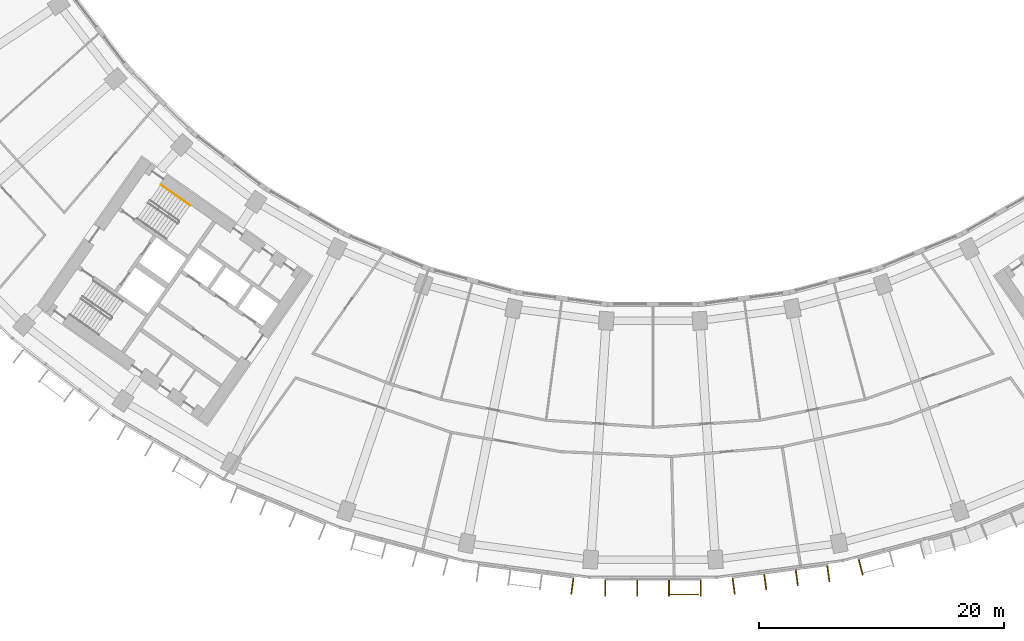
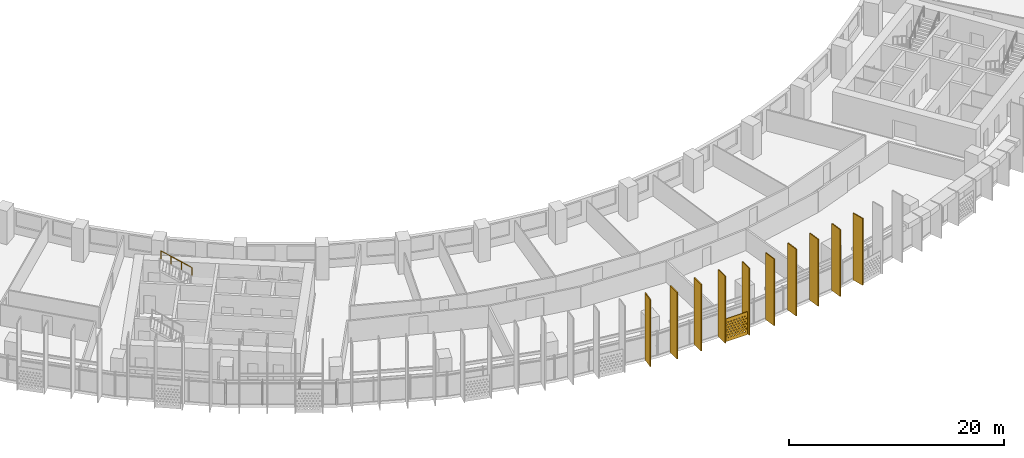
# One storey, part 26 of 29: 11 shading devices, 1 railing.
"""IFC4 building model written with IfcOpenShell, lengths in metres."""

from ifc_helpers import new_model, si_unit, direction, frame, origin, origin_2d, place, context, subcontext, project, spatial, polyline, rectangle, circle, outline, extrude, material, material_profile, profile_set, type_object, element, save


model = new_model("IFC4")

# Units and contexts
model_context = context("Model", 3, precision=1e-05, world=origin(), true_north=direction((0.0, 1.0)))
body_context = subcontext(model_context, "Body", "Model", "MODEL_VIEW")
ifc_project = project(units=[si_unit("LENGTHUNIT", "METRE"), si_unit("AREAUNIT", "SQUARE_METRE"), si_unit("VOLUMEUNIT", "CUBIC_METRE"), si_unit("PLANEANGLEUNIT", "RADIAN"), si_unit("MASSUNIT", "GRAM", prefix="KILO")], contexts=[model_context])

# Site, building, storey
site_placement = place(None, origin())
site = spatial("IfcSite", under=ifc_project, at=site_placement, CompositionType="ELEMENT")
building_placement = place(site_placement, origin())
building = spatial("IfcBuilding", under=site, at=building_placement, Name="Qamariyya Broadcast Tower", CompositionType="ELEMENT")
storey_placement = place(building_placement, frame((0.0, 0.0, 132.89990234375)))
storey = spatial("IfcBuildingStorey", under=building, at=storey_placement, Name="L30", CompositionType="ELEMENT", Elevation=132.89990234375)

# Shading device
ifc_material_1 = material(Name="Perforated glazed terracotta", Category="masonry")
ifc_material_profile_1 = material_profile(ifc_material_1, outline(polyline([(-1.199951171875, -1.300048828125), (1.199951171875, -1.300048828125), (1.199951171875, 1.300048828125), (-1.199951171875, 1.300048828125), (-1.199951171875, -1.300048828125)]), holes=[polyline([(-0.81494140625, -0.86669921875), (-0.89990234375, -0.78173828125), (-0.985107421875, -0.86669921875), (-0.89990234375, -0.95166015625), (-0.81494140625, -0.86669921875)]), polyline([(-0.514892578125, -0.86669921875), (-0.60009765625, -0.78173828125), (-0.68505859375, -0.86669921875), (-0.60009765625, -0.95166015625), (-0.514892578125, -0.86669921875)]), polyline([(-0.215087890625, -0.86669921875), (-0.300048828125, -0.78173828125), (-0.385009765625, -0.86669921875), (-0.300048828125, -0.95166015625), (-0.215087890625, -0.86669921875)]), polyline([(0.0849609375, -0.86669921875), (0.0, -0.78173828125), (-0.0849609375, -0.86669921875), (0.0, -0.95166015625), (0.0849609375, -0.86669921875)]), polyline([(0.385009765625, -0.86669921875), (0.300048828125, -0.78173828125), (0.215087890625, -0.86669921875), (0.300048828125, -0.95166015625), (0.385009765625, -0.86669921875)]), polyline([(0.68505859375, -0.86669921875), (0.60009765625, -0.78173828125), (0.514892578125, -0.86669921875), (0.60009765625, -0.95166015625), (0.68505859375, -0.86669921875)]), polyline([(0.985107421875, -0.86669921875), (0.89990234375, -0.78173828125), (0.81494140625, -0.86669921875), (0.89990234375, -0.95166015625), (0.985107421875, -0.86669921875)]), polyline([(-0.965087890625, -0.577880859375), (-1.050048828125, -0.49267578125), (-1.135009765625, -0.577880859375), (-1.050048828125, -0.662841796875), (-0.965087890625, -0.577880859375)]), polyline([(-0.6650390625, -0.577880859375), (-0.75, -0.49267578125), (-0.8349609375, -0.577880859375), (-0.75, -0.662841796875), (-0.6650390625, -0.577880859375)]), polyline([(-0.364990234375, -0.577880859375), (-0.449951171875, -0.49267578125), (-0.534912109375, -0.577880859375), (-0.449951171875, -0.662841796875), (-0.364990234375, -0.577880859375)]), polyline([(-0.06494140625, -0.577880859375), (-0.14990234375, -0.49267578125), (-0.235107421875, -0.577880859375), (-0.14990234375, -0.662841796875), (-0.06494140625, -0.577880859375)]), polyline([(0.235107421875, -0.577880859375), (0.14990234375, -0.49267578125), (0.06494140625, -0.577880859375), (0.14990234375, -0.662841796875), (0.235107421875, -0.577880859375)]), polyline([(0.534912109375, -0.577880859375), (0.449951171875, -0.49267578125), (0.364990234375, -0.577880859375), (0.449951171875, -0.662841796875), (0.534912109375, -0.577880859375)]), polyline([(0.8349609375, -0.577880859375), (0.75, -0.49267578125), (0.6650390625, -0.577880859375), (0.75, -0.662841796875), (0.8349609375, -0.577880859375)]), polyline([(1.135009765625, -0.577880859375), (1.050048828125, -0.49267578125), (0.965087890625, -0.577880859375), (1.050048828125, -0.662841796875), (1.135009765625, -0.577880859375)]), polyline([(-0.81494140625, -0.288818359375), (-0.89990234375, -0.203857421875), (-0.985107421875, -0.288818359375), (-0.89990234375, -0.373779296875), (-0.81494140625, -0.288818359375)]), polyline([(-0.514892578125, -0.288818359375), (-0.60009765625, -0.203857421875), (-0.68505859375, -0.288818359375), (-0.60009765625, -0.373779296875), (-0.514892578125, -0.288818359375)]), polyline([(-0.215087890625, -0.288818359375), (-0.300048828125, -0.203857421875), (-0.385009765625, -0.288818359375), (-0.300048828125, -0.373779296875), (-0.215087890625, -0.288818359375)]), polyline([(0.0849609375, -0.288818359375), (0.0, -0.203857421875), (-0.0849609375, -0.288818359375), (0.0, -0.373779296875), (0.0849609375, -0.288818359375)]), polyline([(0.385009765625, -0.288818359375), (0.300048828125, -0.203857421875), (0.215087890625, -0.288818359375), (0.300048828125, -0.373779296875), (0.385009765625, -0.288818359375)]), polyline([(0.68505859375, -0.288818359375), (0.60009765625, -0.203857421875), (0.514892578125, -0.288818359375), (0.60009765625, -0.373779296875), (0.68505859375, -0.288818359375)]), polyline([(0.985107421875, -0.288818359375), (0.89990234375, -0.203857421875), (0.81494140625, -0.288818359375), (0.89990234375, -0.373779296875), (0.985107421875, -0.288818359375)]), polyline([(-0.965087890625, 0.0), (-1.050048828125, 0.0849609375), (-1.135009765625, 0.0), (-1.050048828125, -0.0849609375), (-0.965087890625, 0.0)]), polyline([(-0.6650390625, 0.0), (-0.75, 0.0849609375), (-0.8349609375, 0.0), (-0.75, -0.0849609375), (-0.6650390625, 0.0)]), polyline([(-0.364990234375, 0.0), (-0.449951171875, 0.0849609375), (-0.534912109375, 0.0), (-0.449951171875, -0.0849609375), (-0.364990234375, 0.0)]), polyline([(-0.06494140625, 0.0), (-0.14990234375, 0.0849609375), (-0.235107421875, 0.0), (-0.14990234375, -0.0849609375), (-0.06494140625, 0.0)]), polyline([(0.235107421875, 0.0), (0.14990234375, 0.0849609375), (0.06494140625, 0.0), (0.14990234375, -0.0849609375), (0.235107421875, 0.0)]), polyline([(0.534912109375, 0.0), (0.449951171875, 0.0849609375), (0.364990234375, 0.0), (0.449951171875, -0.0849609375), (0.534912109375, 0.0)]), polyline([(0.8349609375, 0.0), (0.75, 0.0849609375), (0.6650390625, 0.0), (0.75, -0.0849609375), (0.8349609375, 0.0)]), polyline([(1.135009765625, 0.0), (1.050048828125, 0.0849609375), (0.965087890625, 0.0), (1.050048828125, -0.0849609375), (1.135009765625, 0.0)]), polyline([(-0.81494140625, 0.288818359375), (-0.89990234375, 0.373779296875), (-0.985107421875, 0.288818359375), (-0.89990234375, 0.203857421875), (-0.81494140625, 0.288818359375)]), polyline([(-0.514892578125, 0.288818359375), (-0.60009765625, 0.373779296875), (-0.68505859375, 0.288818359375), (-0.60009765625, 0.203857421875), (-0.514892578125, 0.288818359375)]), polyline([(-0.215087890625, 0.288818359375), (-0.300048828125, 0.373779296875), (-0.385009765625, 0.288818359375), (-0.300048828125, 0.203857421875), (-0.215087890625, 0.288818359375)]), polyline([(0.0849609375, 0.288818359375), (0.0, 0.373779296875), (-0.0849609375, 0.288818359375), (0.0, 0.203857421875), (0.0849609375, 0.288818359375)]), polyline([(0.385009765625, 0.288818359375), (0.300048828125, 0.373779296875), (0.215087890625, 0.288818359375), (0.300048828125, 0.203857421875), (0.385009765625, 0.288818359375)]), polyline([(0.68505859375, 0.288818359375), (0.60009765625, 0.373779296875), (0.514892578125, 0.288818359375), (0.60009765625, 0.203857421875), (0.68505859375, 0.288818359375)]), polyline([(0.985107421875, 0.288818359375), (0.89990234375, 0.373779296875), (0.81494140625, 0.288818359375), (0.89990234375, 0.203857421875), (0.985107421875, 0.288818359375)]), polyline([(-0.965087890625, 0.577880859375), (-1.050048828125, 0.662841796875), (-1.135009765625, 0.577880859375), (-1.050048828125, 0.49267578125), (-0.965087890625, 0.577880859375)]), polyline([(-0.6650390625, 0.577880859375), (-0.75, 0.662841796875), (-0.8349609375, 0.577880859375), (-0.75, 0.49267578125), (-0.6650390625, 0.577880859375)]), polyline([(-0.364990234375, 0.577880859375), (-0.449951171875, 0.662841796875), (-0.534912109375, 0.577880859375), (-0.449951171875, 0.49267578125), (-0.364990234375, 0.577880859375)]), polyline([(-0.06494140625, 0.577880859375), (-0.14990234375, 0.662841796875), (-0.235107421875, 0.577880859375), (-0.14990234375, 0.49267578125), (-0.06494140625, 0.577880859375)]), polyline([(0.235107421875, 0.577880859375), (0.14990234375, 0.662841796875), (0.06494140625, 0.577880859375), (0.14990234375, 0.49267578125), (0.235107421875, 0.577880859375)]), polyline([(0.534912109375, 0.577880859375), (0.449951171875, 0.662841796875), (0.364990234375, 0.577880859375), (0.449951171875, 0.49267578125), (0.534912109375, 0.577880859375)]), polyline([(0.8349609375, 0.577880859375), (0.75, 0.662841796875), (0.6650390625, 0.577880859375), (0.75, 0.49267578125), (0.8349609375, 0.577880859375)]), polyline([(1.135009765625, 0.577880859375), (1.050048828125, 0.662841796875), (0.965087890625, 0.577880859375), (1.050048828125, 0.49267578125), (1.135009765625, 0.577880859375)]), polyline([(-0.81494140625, 0.86669921875), (-0.89990234375, 0.95166015625), (-0.985107421875, 0.86669921875), (-0.89990234375, 0.78173828125), (-0.81494140625, 0.86669921875)]), polyline([(-0.514892578125, 0.86669921875), (-0.60009765625, 0.95166015625), (-0.68505859375, 0.86669921875), (-0.60009765625, 0.78173828125), (-0.514892578125, 0.86669921875)]), polyline([(-0.215087890625, 0.86669921875), (-0.300048828125, 0.95166015625), (-0.385009765625, 0.86669921875), (-0.300048828125, 0.78173828125), (-0.215087890625, 0.86669921875)]), polyline([(0.0849609375, 0.86669921875), (0.0, 0.95166015625), (-0.0849609375, 0.86669921875), (0.0, 0.78173828125), (0.0849609375, 0.86669921875)]), polyline([(0.385009765625, 0.86669921875), (0.300048828125, 0.95166015625), (0.215087890625, 0.86669921875), (0.300048828125, 0.78173828125), (0.385009765625, 0.86669921875)]), polyline([(0.68505859375, 0.86669921875), (0.60009765625, 0.95166015625), (0.514892578125, 0.86669921875), (0.60009765625, 0.78173828125), (0.68505859375, 0.86669921875)]), polyline([(0.985107421875, 0.86669921875), (0.89990234375, 0.95166015625), (0.81494140625, 0.86669921875), (0.89990234375, 0.78173828125), (0.985107421875, 0.86669921875)])]))
ifc_profile_set_1 = profile_set([ifc_material_profile_1], Name="Perforated glazed terracotta")
shading_device_type_1 = type_object("IfcShadingDeviceType", Name="Perforated terracotta screen 2400 x 2600", PredefinedType="USERDEFINED", material=ifc_profile_set_1)
shading_device_placement = place(storey_placement, frame((2.546630859375, -80.400146484375, 1.35009765625), z_axis=(0.0, -1.0, 0.0), x_axis=(1.0, 0.0, 0.0)))
element("IfcShadingDevice", 1, at=shading_device_placement, inside=storey, type_object=shading_device_type_1, Name="e-scr-L30-09-2", ObjectType="SCREEN", PredefinedType="USERDEFINED", context=body_context, shape_type="SweptSolid", body=[
    extrude(outline(polyline([(-1.199951171875, -1.300048828125), (1.199951171875, -1.300048828125), (1.199951171875, 1.300048828125), (-1.199951171875, 1.300048828125), (-1.199951171875, -1.300048828125)]), holes=[polyline([(-0.81494140625, -0.86669921875), (-0.89990234375, -0.78173828125), (-0.985107421875, -0.86669921875), (-0.89990234375, -0.95166015625), (-0.81494140625, -0.86669921875)]), polyline([(-0.514892578125, -0.86669921875), (-0.60009765625, -0.78173828125), (-0.68505859375, -0.86669921875), (-0.60009765625, -0.95166015625), (-0.514892578125, -0.86669921875)]), polyline([(-0.215087890625, -0.86669921875), (-0.300048828125, -0.78173828125), (-0.385009765625, -0.86669921875), (-0.300048828125, -0.95166015625), (-0.215087890625, -0.86669921875)]), polyline([(0.0849609375, -0.86669921875), (0.0, -0.78173828125), (-0.0849609375, -0.86669921875), (0.0, -0.95166015625), (0.0849609375, -0.86669921875)]), polyline([(0.385009765625, -0.86669921875), (0.300048828125, -0.78173828125), (0.215087890625, -0.86669921875), (0.300048828125, -0.95166015625), (0.385009765625, -0.86669921875)]), polyline([(0.68505859375, -0.86669921875), (0.60009765625, -0.78173828125), (0.514892578125, -0.86669921875), (0.60009765625, -0.95166015625), (0.68505859375, -0.86669921875)]), polyline([(0.985107421875, -0.86669921875), (0.89990234375, -0.78173828125), (0.81494140625, -0.86669921875), (0.89990234375, -0.95166015625), (0.985107421875, -0.86669921875)]), polyline([(-0.965087890625, -0.577880859375), (-1.050048828125, -0.49267578125), (-1.135009765625, -0.577880859375), (-1.050048828125, -0.662841796875), (-0.965087890625, -0.577880859375)]), polyline([(-0.6650390625, -0.577880859375), (-0.75, -0.49267578125), (-0.8349609375, -0.577880859375), (-0.75, -0.662841796875), (-0.6650390625, -0.577880859375)]), polyline([(-0.364990234375, -0.577880859375), (-0.449951171875, -0.49267578125), (-0.534912109375, -0.577880859375), (-0.449951171875, -0.662841796875), (-0.364990234375, -0.577880859375)]), polyline([(-0.06494140625, -0.577880859375), (-0.14990234375, -0.49267578125), (-0.235107421875, -0.577880859375), (-0.14990234375, -0.662841796875), (-0.06494140625, -0.577880859375)]), polyline([(0.235107421875, -0.577880859375), (0.14990234375, -0.49267578125), (0.06494140625, -0.577880859375), (0.14990234375, -0.662841796875), (0.235107421875, -0.577880859375)]), polyline([(0.534912109375, -0.577880859375), (0.449951171875, -0.49267578125), (0.364990234375, -0.577880859375), (0.449951171875, -0.662841796875), (0.534912109375, -0.577880859375)]), polyline([(0.8349609375, -0.577880859375), (0.75, -0.49267578125), (0.6650390625, -0.577880859375), (0.75, -0.662841796875), (0.8349609375, -0.577880859375)]), polyline([(1.135009765625, -0.577880859375), (1.050048828125, -0.49267578125), (0.965087890625, -0.577880859375), (1.050048828125, -0.662841796875), (1.135009765625, -0.577880859375)]), polyline([(-0.81494140625, -0.288818359375), (-0.89990234375, -0.203857421875), (-0.985107421875, -0.288818359375), (-0.89990234375, -0.373779296875), (-0.81494140625, -0.288818359375)]), polyline([(-0.514892578125, -0.288818359375), (-0.60009765625, -0.203857421875), (-0.68505859375, -0.288818359375), (-0.60009765625, -0.373779296875), (-0.514892578125, -0.288818359375)]), polyline([(-0.215087890625, -0.288818359375), (-0.300048828125, -0.203857421875), (-0.385009765625, -0.288818359375), (-0.300048828125, -0.373779296875), (-0.215087890625, -0.288818359375)]), polyline([(0.0849609375, -0.288818359375), (0.0, -0.203857421875), (-0.0849609375, -0.288818359375), (0.0, -0.373779296875), (0.0849609375, -0.288818359375)]), polyline([(0.385009765625, -0.288818359375), (0.300048828125, -0.203857421875), (0.215087890625, -0.288818359375), (0.300048828125, -0.373779296875), (0.385009765625, -0.288818359375)]), polyline([(0.68505859375, -0.288818359375), (0.60009765625, -0.203857421875), (0.514892578125, -0.288818359375), (0.60009765625, -0.373779296875), (0.68505859375, -0.288818359375)]), polyline([(0.985107421875, -0.288818359375), (0.89990234375, -0.203857421875), (0.81494140625, -0.288818359375), (0.89990234375, -0.373779296875), (0.985107421875, -0.288818359375)]), polyline([(-0.965087890625, 0.0), (-1.050048828125, 0.0849609375), (-1.135009765625, 0.0), (-1.050048828125, -0.0849609375), (-0.965087890625, 0.0)]), polyline([(-0.6650390625, 0.0), (-0.75, 0.0849609375), (-0.8349609375, 0.0), (-0.75, -0.0849609375), (-0.6650390625, 0.0)]), polyline([(-0.364990234375, 0.0), (-0.449951171875, 0.0849609375), (-0.534912109375, 0.0), (-0.449951171875, -0.0849609375), (-0.364990234375, 0.0)]), polyline([(-0.06494140625, 0.0), (-0.14990234375, 0.0849609375), (-0.235107421875, 0.0), (-0.14990234375, -0.0849609375), (-0.06494140625, 0.0)]), polyline([(0.235107421875, 0.0), (0.14990234375, 0.0849609375), (0.06494140625, 0.0), (0.14990234375, -0.0849609375), (0.235107421875, 0.0)]), polyline([(0.534912109375, 0.0), (0.449951171875, 0.0849609375), (0.364990234375, 0.0), (0.449951171875, -0.0849609375), (0.534912109375, 0.0)]), polyline([(0.8349609375, 0.0), (0.75, 0.0849609375), (0.6650390625, 0.0), (0.75, -0.0849609375), (0.8349609375, 0.0)]), polyline([(1.135009765625, 0.0), (1.050048828125, 0.0849609375), (0.965087890625, 0.0), (1.050048828125, -0.0849609375), (1.135009765625, 0.0)]), polyline([(-0.81494140625, 0.288818359375), (-0.89990234375, 0.373779296875), (-0.985107421875, 0.288818359375), (-0.89990234375, 0.203857421875), (-0.81494140625, 0.288818359375)]), polyline([(-0.514892578125, 0.288818359375), (-0.60009765625, 0.373779296875), (-0.68505859375, 0.288818359375), (-0.60009765625, 0.203857421875), (-0.514892578125, 0.288818359375)]), polyline([(-0.215087890625, 0.288818359375), (-0.300048828125, 0.373779296875), (-0.385009765625, 0.288818359375), (-0.300048828125, 0.203857421875), (-0.215087890625, 0.288818359375)]), polyline([(0.0849609375, 0.288818359375), (0.0, 0.373779296875), (-0.0849609375, 0.288818359375), (0.0, 0.203857421875), (0.0849609375, 0.288818359375)]), polyline([(0.385009765625, 0.288818359375), (0.300048828125, 0.373779296875), (0.215087890625, 0.288818359375), (0.300048828125, 0.203857421875), (0.385009765625, 0.288818359375)]), polyline([(0.68505859375, 0.288818359375), (0.60009765625, 0.373779296875), (0.514892578125, 0.288818359375), (0.60009765625, 0.203857421875), (0.68505859375, 0.288818359375)]), polyline([(0.985107421875, 0.288818359375), (0.89990234375, 0.373779296875), (0.81494140625, 0.288818359375), (0.89990234375, 0.203857421875), (0.985107421875, 0.288818359375)]), polyline([(-0.965087890625, 0.577880859375), (-1.050048828125, 0.662841796875), (-1.135009765625, 0.577880859375), (-1.050048828125, 0.49267578125), (-0.965087890625, 0.577880859375)]), polyline([(-0.6650390625, 0.577880859375), (-0.75, 0.662841796875), (-0.8349609375, 0.577880859375), (-0.75, 0.49267578125), (-0.6650390625, 0.577880859375)]), polyline([(-0.364990234375, 0.577880859375), (-0.449951171875, 0.662841796875), (-0.534912109375, 0.577880859375), (-0.449951171875, 0.49267578125), (-0.364990234375, 0.577880859375)]), polyline([(-0.06494140625, 0.577880859375), (-0.14990234375, 0.662841796875), (-0.235107421875, 0.577880859375), (-0.14990234375, 0.49267578125), (-0.06494140625, 0.577880859375)]), polyline([(0.235107421875, 0.577880859375), (0.14990234375, 0.662841796875), (0.06494140625, 0.577880859375), (0.14990234375, 0.49267578125), (0.235107421875, 0.577880859375)]), polyline([(0.534912109375, 0.577880859375), (0.449951171875, 0.662841796875), (0.364990234375, 0.577880859375), (0.449951171875, 0.49267578125), (0.534912109375, 0.577880859375)]), polyline([(0.8349609375, 0.577880859375), (0.75, 0.662841796875), (0.6650390625, 0.577880859375), (0.75, 0.49267578125), (0.8349609375, 0.577880859375)]), polyline([(1.135009765625, 0.577880859375), (1.050048828125, 0.662841796875), (0.965087890625, 0.577880859375), (1.050048828125, 0.49267578125), (1.135009765625, 0.577880859375)]), polyline([(-0.81494140625, 0.86669921875), (-0.89990234375, 0.95166015625), (-0.985107421875, 0.86669921875), (-0.89990234375, 0.78173828125), (-0.81494140625, 0.86669921875)]), polyline([(-0.514892578125, 0.86669921875), (-0.60009765625, 0.95166015625), (-0.68505859375, 0.86669921875), (-0.60009765625, 0.78173828125), (-0.514892578125, 0.86669921875)]), polyline([(-0.215087890625, 0.86669921875), (-0.300048828125, 0.95166015625), (-0.385009765625, 0.86669921875), (-0.300048828125, 0.78173828125), (-0.215087890625, 0.86669921875)]), polyline([(0.0849609375, 0.86669921875), (0.0, 0.95166015625), (-0.0849609375, 0.86669921875), (0.0, 0.78173828125), (0.0849609375, 0.86669921875)]), polyline([(0.385009765625, 0.86669921875), (0.300048828125, 0.95166015625), (0.215087890625, 0.86669921875), (0.300048828125, 0.78173828125), (0.385009765625, 0.86669921875)]), polyline([(0.68505859375, 0.86669921875), (0.60009765625, 0.95166015625), (0.514892578125, 0.86669921875), (0.60009765625, 0.78173828125), (0.68505859375, 0.86669921875)]), polyline([(0.985107421875, 0.86669921875), (0.89990234375, 0.95166015625), (0.81494140625, 0.86669921875), (0.89990234375, 0.78173828125), (0.985107421875, 0.86669921875)])]), origin(), (0.0, 0.0, 1.0), 0.06005859375),
])

# Railing
ifc_material_2 = material(Name="Stainless steel", Category="steel")
railing_type = type_object("IfcRailingType", Name="Stair handrail", PredefinedType="HANDRAIL", material=ifc_material_2)
railing_placement = place(storey_placement, frame((-37.73876953125, -48.7138671875, 2.07275390625)))
element("IfcRailing", 2, at=railing_placement, inside=storey, type_object=railing_type, Name="L30 ST-W2 stair handrail 2", PredefinedType="HANDRAIL", context=body_context, shape_type="SweptSolid", body=[
    extrude(circle(Radius=0.02392578125, at=origin_2d()), frame((0.0, 0.0, 0.8759765625), z_axis=(-0.703745009021, 0.492838488332, 0.511715923826), x_axis=(-0.573631830683, -0.819113253969, 0.0)), (0.0, 0.0, 1.0), 3.37548828125),
    extrude(circle(Radius=0.02099609375, at=origin_2d()), origin(), (0.0, 0.0, 1.0), 0.851806640625),
    extrude(circle(Radius=0.02099609375, at=origin_2d()), frame((-0.791748046875, 0.554443359375, 0.57568359375)), (0.0, 0.0, 1.0), 0.851806640625),
    extrude(circle(Radius=0.02099609375, at=origin_2d()), frame((-1.583740234375, 1.109130859375, 1.151611328125)), (0.0, 0.0, 1.0), 0.851806640625),
    extrude(circle(Radius=0.02099609375, at=origin_2d()), frame((-2.37548828125, 1.66357421875, 1.727294921875)), (0.0, 0.0, 1.0), 0.851806640625),
])

# Shading devices
ifc_material_3 = material(Name="Glazed terracotta", Category="masonry")
ifc_material_profile_2 = material_profile(ifc_material_3, rectangle(XDim=1.300048828125, YDim=0.10009765625, at=origin_2d()))
ifc_profile_set_2 = profile_set([ifc_material_profile_2], Name="Glazed terracotta")
shading_device_type_2 = type_object("IfcShadingDeviceType", Name="Terracotta fin 100 x 1300", PredefinedType="USERDEFINED", material=ifc_profile_set_2)
for number, where, z_axis, x_axis, name in (
    (3, (-6.576416015625, -79.754150390625, 0.0), (0.0, 0.0, 1.0), (-0.13052619222, -0.991444861374, 0.0), "e-fin-L30-08-3"),
    (4, (-3.889892578125, -79.93017578125, 0.0), (0.0, 0.0, 1.0), (0.0, -1.0, 0.0), "e-fin-L30-09-0"),
    (5, (-1.296630859375, -79.93017578125, 0.0), (0.0, 0.0, 1.0), (0.0, -1.0, 0.0), "e-fin-L30-09-1"),
    (6, (1.296630859375, -79.93017578125, 0.0), (0.0, 0.0, 1.0), (0.0, -1.0, 0.0), "e-fin-L30-09-2"),
    (7, (3.889892578125, -79.93017578125, 0.0), (0.0, 0.0, 1.0), (0.0, -1.0, 0.0), "e-fin-L30-09-3"),
    (8, (6.576416015625, -79.754150390625, 0.0), (0.0, 0.0, 1.0), (0.13052619222, -0.991444861374, 0.0), "e-fin-L30-10-0"),
    (9, (9.1474609375, -79.41552734375, 0.0), (0.0, 0.0, 1.0), (0.13052619222, -0.991444861374, 0.0), "e-fin-L30-10-1"),
    (10, (11.718505859375, -79.0771484375, 0.0), (0.0, 0.0, 1.0), (0.13052619222, -0.991444861374, 0.0), "e-fin-L30-10-2"),
    (11, (14.28955078125, -78.73876953125, 0.0), (0.0, 0.0, 1.0), (0.13052619222, -0.991444861374, 0.0), "e-fin-L30-10-3"),
    (12, (16.93017578125, -78.21337890625, 0.0), (0.0, 0.0, 1.0), (0.258819045103, -0.965925826289, 0.0), "e-fin-L30-11-0"),
):
    element("IfcShadingDevice", number, at=place(storey_placement, frame(where, z_axis=z_axis, x_axis=x_axis)), inside=storey, type_object=shading_device_type_2, Name=name, ObjectType="FIN", PredefinedType="USERDEFINED", context=body_context, shape_type="SweptSolid", body=[
        extrude(rectangle(XDim=1.300048828125, YDim=0.10009765625, at=origin_2d()), origin(), (0.0, 0.0, 1.0), 7.60009765625),
    ])

save(model, "model.ifc")
